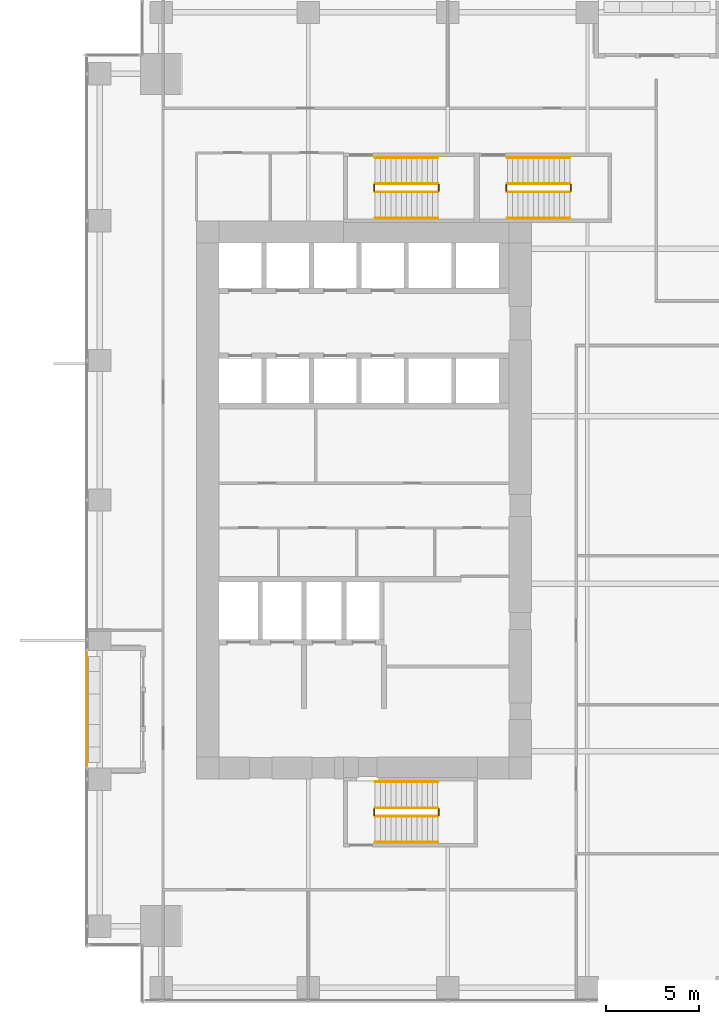
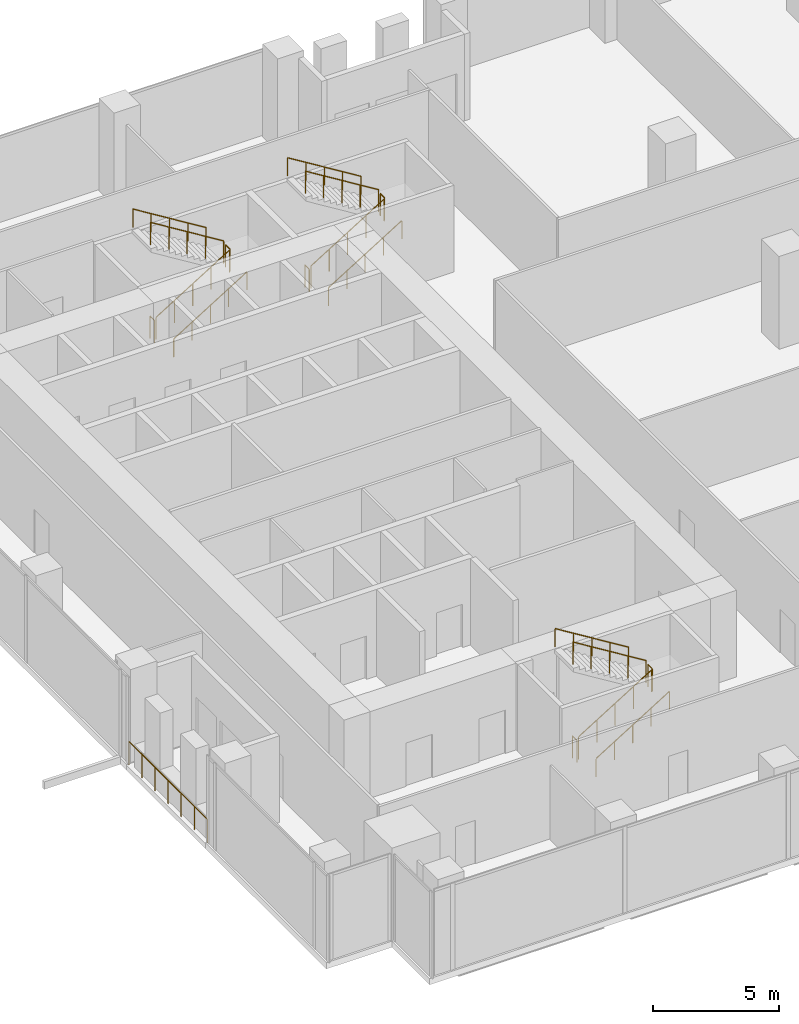
# One storey, part 31 of 33: 19 railings.
"""IFC4 building model written with IfcOpenShell, lengths in metres."""

from ifc_helpers import new_model, si_unit, direction, frame, origin, origin_2d, place, context, subcontext, project, spatial, circle, extrude, source, transform, mapped, material, type_object, element, save


model = new_model("IFC4")

# Units and contexts
model_context = context("Model", 3, precision=1e-05, world=origin(), true_north=direction((0.0, 1.0)))
body_context = subcontext(model_context, "Body", "Model", "MODEL_VIEW")
ifc_project = project(units=[si_unit("LENGTHUNIT", "METRE"), si_unit("AREAUNIT", "SQUARE_METRE"), si_unit("VOLUMEUNIT", "CUBIC_METRE"), si_unit("PLANEANGLEUNIT", "RADIAN"), si_unit("MASSUNIT", "GRAM", prefix="KILO")], contexts=[model_context])

# Site, building, storey
site_placement = place(None, origin())
site = spatial("IfcSite", under=ifc_project, at=site_placement, CompositionType="ELEMENT")
building_placement = place(site_placement, origin())
building = spatial("IfcBuilding", under=site, at=building_placement, Name="Khomas Fold Tower", CompositionType="ELEMENT")
storey_placement = place(building_placement, frame((0.0, 0.0, 91.5)))
storey = spatial("IfcBuildingStorey", under=building, at=storey_placement, Name="L19", CompositionType="ELEMENT", Elevation=91.5)

# Railings
ifc_material_1 = material(Name="Powder-coated steel", Category="steel")
railing_type_1 = type_object("IfcRailingType", Name="Balcony guard", PredefinedType="GUARDRAIL", material=ifc_material_1)
shared_shape_1 = source(origin(), body_context, "Body", "SweptSolid", [
    extrude(circle(Radius=0.02490234375, at=origin_2d()), frame((0.0, 0.0, 1.125), z_axis=(0.0, 1.0, 0.0), x_axis=(-1.0, 0.0, 0.0)), (0.0, 0.0, 1.0), 6.240234375),
    extrude(circle(Radius=0.02001953125, at=origin_2d()), origin(), (0.0, 0.0, 1.0), 1.099853515625),
    extrude(circle(Radius=0.02001953125, at=origin_2d()), frame((0.0, 1.0400390625, 0.0)), (0.0, 0.0, 1.0), 1.099853515625),
    extrude(circle(Radius=0.02001953125, at=origin_2d()), frame((0.0, 2.080078125, 0.0)), (0.0, 0.0, 1.0), 1.099853515625),
    extrude(circle(Radius=0.02001953125, at=origin_2d()), frame((0.0, 3.1201171875, 0.0)), (0.0, 0.0, 1.0), 1.099853515625),
    extrude(circle(Radius=0.02001953125, at=origin_2d()), frame((0.0, 4.16015625, 0.0)), (0.0, 0.0, 1.0), 1.099853515625),
    extrude(circle(Radius=0.02001953125, at=origin_2d()), frame((0.0, 5.2001953125, 0.0)), (0.0, 0.0, 1.0), 1.099853515625),
    extrude(circle(Radius=0.02001953125, at=origin_2d()), frame((0.0, 6.240234375, 0.0)), (0.0, 0.0, 1.0), 1.099853515625),
])
railing_1_placement = place(storey_placement, frame((0.10009765625, 12.6298828125, -0.044921875)))
element("IfcRailing", 1, at=railing_1_placement, inside=storey, type_object=railing_type_1, Name="Balcony guard BAL-L19-W1", PredefinedType="GUARDRAIL", context=body_context, shape_type="MappedRepresentation", body=[
    mapped(shared_shape_1, transform((0.0, 0.0, 0.0))),
])
ifc_material_2 = material(Name="Steel balustrade", Category="steel")
railing_type_2 = type_object("IfcRailingType", Name="Stair guard", PredefinedType="GUARDRAIL", material=ifc_material_2)
shared_shape_2 = source(origin(), body_context, "Body", "SweptSolid", [
    extrude(circle(Radius=0.02392578125, at=origin_2d()), frame((0.0, 0.0, 1.076171875), z_axis=(0.850606129759, 0.0, 0.525803396734), x_axis=(0.0, 1.0, 0.0)), (0.0, 0.0, 1.0), 3.949951171875),
    extrude(circle(Radius=0.02099609375, at=origin_2d()), origin(), (0.0, 0.0, 1.0), 1.052001953125),
    extrude(circle(Radius=0.02099609375, at=origin_2d()), frame((0.83984375, 0.0, 0.519287109375)), (0.0, 0.0, 1.0), 1.052001953125),
    extrude(circle(Radius=0.02099609375, at=origin_2d()), frame((1.679931640625, 0.0, 1.03857421875)), (0.0, 0.0, 1.0), 1.052001953125),
    extrude(circle(Radius=0.02099609375, at=origin_2d()), frame((2.52001953125, 0.0, 1.5576171875)), (0.0, 0.0, 1.0), 1.052001953125),
    extrude(circle(Radius=0.02099609375, at=origin_2d()), frame((3.35986328125, 0.0, 2.076904296875)), (0.0, 0.0, 1.0), 1.052001953125),
])
for number, where, name in (
    (2, (15.60009765625, 43.550048828125, 0.173095703125), "L19 ST1 stair guard 1"),
    (3, (15.60009765625, 10.0, 0.173095703125), "L19 ST2 stair guard 1"),
):
    element("IfcRailing", number, at=place(storey_placement, frame(where)), inside=storey, type_object=railing_type_2, Name=name, PredefinedType="GUARDRAIL", context=body_context, shape_type="MappedRepresentation", body=[
        mapped(shared_shape_2, transform((0.0, 0.0, 0.0))),
    ])
shared_shape_3 = source(origin(), body_context, "Body", "SweptSolid", [
    extrude(circle(Radius=0.02392578125, at=origin_2d()), frame((0.0, 0.0, 1.076171875), z_axis=(0.0, 1.0, 0.0), x_axis=(-1.0, 0.0, 0.0)), (0.0, 0.0, 1.0), 0.349853515625),
    extrude(circle(Radius=0.02099609375, at=origin_2d()), origin(), (0.0, 0.0, 1.0), 1.052001953125),
    extrude(circle(Radius=0.02099609375, at=origin_2d()), frame((0.0, 0.349853515625, 0.0)), (0.0, 0.0, 1.0), 1.052001953125),
])
for number, where, name in (
    (4, (19.010009765625, 43.60009765625, 2.25), "L19 ST1 stair guard 2"),
    (5, (15.550048828125, 43.60009765625, 0.0), "L19 ST1 stair guard 4"),
    (6, (19.010009765625, 10.050048828125, 2.25), "L19 ST2 stair guard 2"),
    (7, (15.550048828125, 10.050048828125, 0.0), "L19 ST2 stair guard 4"),
    (8, (26.110107421875, 43.60009765625, 2.25), "L19 ST3 stair guard 2"),
    (9, (22.64990234375, 43.60009765625, 0.0), "L19 ST3 stair guard 4"),
):
    element("IfcRailing", number, at=place(storey_placement, frame(where)), inside=storey, type_object=railing_type_2, Name=name, PredefinedType="GUARDRAIL", context=body_context, shape_type="MappedRepresentation", body=[
        mapped(shared_shape_3, transform((0.0, 0.0, 0.0))),
    ])
shared_shape_4 = source(origin(), body_context, "Body", "SweptSolid", [
    extrude(circle(Radius=0.02392578125, at=origin_2d()), frame((0.0, 0.0, 1.076171875), z_axis=(-0.850606129759, 0.0, 0.525803396734), x_axis=(0.0, -1.0, 0.0)), (0.0, 0.0, 1.0), 3.949951171875),
    extrude(circle(Radius=0.02099609375, at=origin_2d()), origin(), (0.0, 0.0, 1.0), 1.052001953125),
    extrude(circle(Radius=0.02099609375, at=origin_2d()), frame((-0.83984375, 0.0, 0.519287109375)), (0.0, 0.0, 1.0), 1.052001953125),
    extrude(circle(Radius=0.02099609375, at=origin_2d()), frame((-1.679931640625, 0.0, 1.03857421875)), (0.0, 0.0, 1.0), 1.052001953125),
    extrude(circle(Radius=0.02099609375, at=origin_2d()), frame((-2.52001953125, 0.0, 1.5576171875)), (0.0, 0.0, 1.0), 1.052001953125),
    extrude(circle(Radius=0.02099609375, at=origin_2d()), frame((-3.35986328125, 0.0, 2.076904296875)), (0.0, 0.0, 1.0), 1.052001953125),
])
for number, where, name in (
    (10, (18.9599609375, 44.0, 2.423095703125), "L19 ST1 stair guard 3"),
    (11, (18.9599609375, 10.449951171875, 2.423095703125), "L19 ST2 stair guard 3"),
):
    element("IfcRailing", number, at=place(storey_placement, frame(where)), inside=storey, type_object=railing_type_2, Name=name, PredefinedType="GUARDRAIL", context=body_context, shape_type="MappedRepresentation", body=[
        mapped(shared_shape_4, transform((0.0, 0.0, 0.0))),
    ])
ifc_material_3 = material(Name="Steel handrail", Category="steel")
railing_type_3 = type_object("IfcRailingType", Name="Stair handrail", PredefinedType="HANDRAIL", material=ifc_material_3)
shared_shape_5 = source(origin(), body_context, "Body", "SweptSolid", [
    extrude(circle(Radius=0.02392578125, at=origin_2d()), frame((0.0, 0.0, 0.8759765625), z_axis=(0.850606129759, 0.0, 0.525803396734), x_axis=(0.0, 1.0, 0.0)), (0.0, 0.0, 1.0), 3.949951171875),
    extrude(circle(Radius=0.02099609375, at=origin_2d()), origin(), (0.0, 0.0, 1.0), 0.851806640625),
    extrude(circle(Radius=0.02099609375, at=origin_2d()), frame((0.83984375, 0.0, 0.519287109375)), (0.0, 0.0, 1.0), 0.851806640625),
    extrude(circle(Radius=0.02099609375, at=origin_2d()), frame((1.679931640625, 0.0, 1.03857421875)), (0.0, 0.0, 1.0), 0.851806640625),
    extrude(circle(Radius=0.02099609375, at=origin_2d()), frame((2.52001953125, 0.0, 1.5576171875)), (0.0, 0.0, 1.0), 0.851806640625),
    extrude(circle(Radius=0.02099609375, at=origin_2d()), frame((3.35986328125, 0.0, 2.076904296875)), (0.0, 0.0, 1.0), 0.851806640625),
])
for number, where, name in (
    (12, (15.60009765625, 42.14990234375, 0.173095703125), "L19 ST1 stair handrail 1"),
    (13, (15.60009765625, 8.60009765625, 0.173095703125), "L19 ST2 stair handrail 1"),
):
    element("IfcRailing", number, at=place(storey_placement, frame(where)), inside=storey, type_object=railing_type_3, Name=name, PredefinedType="HANDRAIL", context=body_context, shape_type="MappedRepresentation", body=[
        mapped(shared_shape_5, transform((0.0, 0.0, 0.0))),
    ])
shared_shape_6 = source(origin(), body_context, "Body", "SweptSolid", [
    extrude(circle(Radius=0.02392578125, at=origin_2d()), frame((0.0, 0.0, 0.8759765625), z_axis=(-0.850606129759, 0.0, 0.525803396734), x_axis=(0.0, -1.0, 0.0)), (0.0, 0.0, 1.0), 3.949951171875),
    extrude(circle(Radius=0.02099609375, at=origin_2d()), origin(), (0.0, 0.0, 1.0), 0.851806640625),
    extrude(circle(Radius=0.02099609375, at=origin_2d()), frame((-0.83984375, 0.0, 0.519287109375)), (0.0, 0.0, 1.0), 0.851806640625),
    extrude(circle(Radius=0.02099609375, at=origin_2d()), frame((-1.679931640625, 0.0, 1.03857421875)), (0.0, 0.0, 1.0), 0.851806640625),
    extrude(circle(Radius=0.02099609375, at=origin_2d()), frame((-2.52001953125, 0.0, 1.5576171875)), (0.0, 0.0, 1.0), 0.851806640625),
    extrude(circle(Radius=0.02099609375, at=origin_2d()), frame((-3.35986328125, 0.0, 2.076904296875)), (0.0, 0.0, 1.0), 0.851806640625),
])
for number, where, name in (
    (14, (18.9599609375, 45.39990234375, 2.423095703125), "L19 ST1 stair handrail 2"),
    (15, (18.9599609375, 11.85009765625, 2.423095703125), "L19 ST2 stair handrail 2"),
):
    element("IfcRailing", number, at=place(storey_placement, frame(where)), inside=storey, type_object=railing_type_3, Name=name, PredefinedType="HANDRAIL", context=body_context, shape_type="MappedRepresentation", body=[
        mapped(shared_shape_6, transform((0.0, 0.0, 0.0))),
    ])
shared_shape_7 = source(origin(), body_context, "Body", "SweptSolid", [
    extrude(circle(Radius=0.02392578125, at=origin_2d()), frame((0.0, 0.0, 1.076171875), z_axis=(0.850623216509, 0.0, 0.525775754039), x_axis=(0.0, 1.0, 0.0)), (0.0, 0.0, 1.0), 3.9501953125),
    extrude(circle(Radius=0.02099609375, at=origin_2d()), origin(), (0.0, 0.0, 1.0), 1.052001953125),
    extrude(circle(Radius=0.02099609375, at=origin_2d()), frame((0.840087890625, 0.0, 0.519287109375)), (0.0, 0.0, 1.0), 1.052001953125),
    extrude(circle(Radius=0.02099609375, at=origin_2d()), frame((1.68017578125, 0.0, 1.03857421875)), (0.0, 0.0, 1.0), 1.052001953125),
    extrude(circle(Radius=0.02099609375, at=origin_2d()), frame((2.52001953125, 0.0, 1.5576171875)), (0.0, 0.0, 1.0), 1.052001953125),
    extrude(circle(Radius=0.02099609375, at=origin_2d()), frame((3.360107421875, 0.0, 2.076904296875)), (0.0, 0.0, 1.0), 1.052001953125),
])
railing_2_placement = place(storey_placement, frame((22.699951171875, 43.550048828125, 0.173095703125)))
element("IfcRailing", 16, at=railing_2_placement, inside=storey, type_object=railing_type_2, Name="L19 ST3 stair guard 1", PredefinedType="GUARDRAIL", context=body_context, shape_type="MappedRepresentation", body=[
    mapped(shared_shape_7, transform((0.0, 0.0, 0.0))),
])
shared_shape_8 = source(origin(), body_context, "Body", "SweptSolid", [
    extrude(circle(Radius=0.02392578125, at=origin_2d()), frame((0.0, 0.0, 1.076171875), z_axis=(-0.850623216509, 0.0, 0.525775754039), x_axis=(0.0, -1.0, 0.0)), (0.0, 0.0, 1.0), 3.9501953125),
    extrude(circle(Radius=0.02099609375, at=origin_2d()), origin(), (0.0, 0.0, 1.0), 1.052001953125),
    extrude(circle(Radius=0.02099609375, at=origin_2d()), frame((-0.840087890625, 0.0, 0.519287109375)), (0.0, 0.0, 1.0), 1.052001953125),
    extrude(circle(Radius=0.02099609375, at=origin_2d()), frame((-1.68017578125, 0.0, 1.03857421875)), (0.0, 0.0, 1.0), 1.052001953125),
    extrude(circle(Radius=0.02099609375, at=origin_2d()), frame((-2.52001953125, 0.0, 1.5576171875)), (0.0, 0.0, 1.0), 1.052001953125),
    extrude(circle(Radius=0.02099609375, at=origin_2d()), frame((-3.360107421875, 0.0, 2.076904296875)), (0.0, 0.0, 1.0), 1.052001953125),
])
railing_3_placement = place(storey_placement, frame((26.06005859375, 44.0, 2.423095703125)))
element("IfcRailing", 17, at=railing_3_placement, inside=storey, type_object=railing_type_2, Name="L19 ST3 stair guard 3", PredefinedType="GUARDRAIL", context=body_context, shape_type="MappedRepresentation", body=[
    mapped(shared_shape_8, transform((0.0, 0.0, 0.0))),
])
shared_shape_9 = source(origin(), body_context, "Body", "SweptSolid", [
    extrude(circle(Radius=0.02392578125, at=origin_2d()), frame((0.0, 0.0, 0.8759765625), z_axis=(0.850623216509, 0.0, 0.525775754039), x_axis=(0.0, 1.0, 0.0)), (0.0, 0.0, 1.0), 3.9501953125),
    extrude(circle(Radius=0.02099609375, at=origin_2d()), origin(), (0.0, 0.0, 1.0), 0.851806640625),
    extrude(circle(Radius=0.02099609375, at=origin_2d()), frame((0.840087890625, 0.0, 0.519287109375)), (0.0, 0.0, 1.0), 0.851806640625),
    extrude(circle(Radius=0.02099609375, at=origin_2d()), frame((1.68017578125, 0.0, 1.03857421875)), (0.0, 0.0, 1.0), 0.851806640625),
    extrude(circle(Radius=0.02099609375, at=origin_2d()), frame((2.52001953125, 0.0, 1.5576171875)), (0.0, 0.0, 1.0), 0.851806640625),
    extrude(circle(Radius=0.02099609375, at=origin_2d()), frame((3.360107421875, 0.0, 2.076904296875)), (0.0, 0.0, 1.0), 0.851806640625),
])
railing_4_placement = place(storey_placement, frame((22.699951171875, 42.14990234375, 0.173095703125)))
element("IfcRailing", 18, at=railing_4_placement, inside=storey, type_object=railing_type_3, Name="L19 ST3 stair handrail 1", PredefinedType="HANDRAIL", context=body_context, shape_type="MappedRepresentation", body=[
    mapped(shared_shape_9, transform((0.0, 0.0, 0.0))),
])
shared_shape_10 = source(origin(), body_context, "Body", "SweptSolid", [
    extrude(circle(Radius=0.02392578125, at=origin_2d()), frame((0.0, 0.0, 0.8759765625), z_axis=(-0.850623216509, 0.0, 0.525775754039), x_axis=(0.0, -1.0, 0.0)), (0.0, 0.0, 1.0), 3.9501953125),
    extrude(circle(Radius=0.02099609375, at=origin_2d()), origin(), (0.0, 0.0, 1.0), 0.851806640625),
    extrude(circle(Radius=0.02099609375, at=origin_2d()), frame((-0.840087890625, 0.0, 0.519287109375)), (0.0, 0.0, 1.0), 0.851806640625),
    extrude(circle(Radius=0.02099609375, at=origin_2d()), frame((-1.68017578125, 0.0, 1.03857421875)), (0.0, 0.0, 1.0), 0.851806640625),
    extrude(circle(Radius=0.02099609375, at=origin_2d()), frame((-2.52001953125, 0.0, 1.5576171875)), (0.0, 0.0, 1.0), 0.851806640625),
    extrude(circle(Radius=0.02099609375, at=origin_2d()), frame((-3.360107421875, 0.0, 2.076904296875)), (0.0, 0.0, 1.0), 0.851806640625),
])
railing_5_placement = place(storey_placement, frame((26.06005859375, 45.39990234375, 2.423095703125)))
element("IfcRailing", 19, at=railing_5_placement, inside=storey, type_object=railing_type_3, Name="L19 ST3 stair handrail 2", PredefinedType="HANDRAIL", context=body_context, shape_type="MappedRepresentation", body=[
    mapped(shared_shape_10, transform((0.0, 0.0, 0.0))),
])

save(model, "model.ifc")
